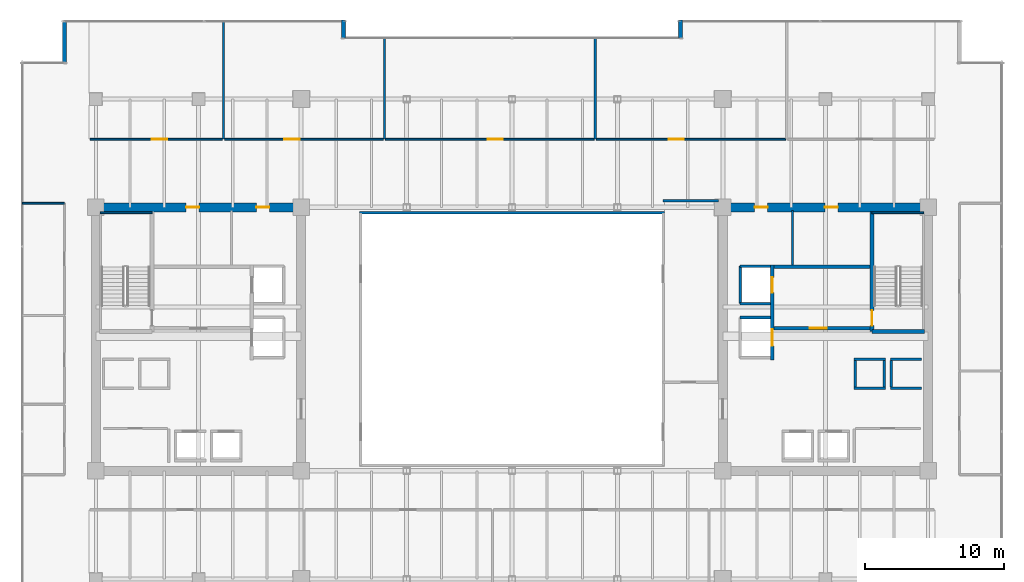
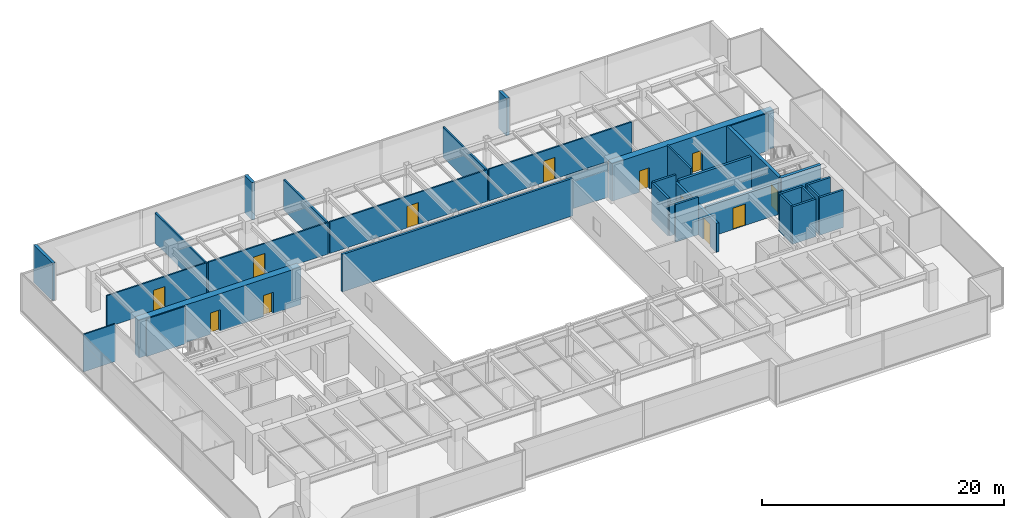
# One storey, part 27 of 34: 34 walls, 12 doors, 12 openings.
"""IFC4 building model written with IfcOpenShell, lengths in metres."""

from ifc_helpers import new_model, si_unit, direction, frame, frame_2d, origin, place, context, subcontext, project, spatial, rectangle, extrude, source, transform, mapped, material, layer, layer_set, type_object, type_shapes, element, fill, save


model = new_model("IFC4")

# Units and contexts
model_context = context("Model", 3, precision=1e-05, world=origin(), true_north=direction((0.0, 1.0)))
body_context = subcontext(model_context, "Body", "Model", "MODEL_VIEW")
ifc_project = project(units=[si_unit("LENGTHUNIT", "METRE"), si_unit("AREAUNIT", "SQUARE_METRE"), si_unit("VOLUMEUNIT", "CUBIC_METRE"), si_unit("PLANEANGLEUNIT", "RADIAN"), si_unit("MASSUNIT", "GRAM", prefix="KILO")], contexts=[model_context])

# Site, building, storey
site_placement = place(None, origin())
site = spatial("IfcSite", under=ifc_project, at=site_placement, CompositionType="ELEMENT")
building_placement = place(site_placement, origin())
building = spatial("IfcBuilding", under=site, at=building_placement, Name="Haelvirn Gate Laboratories", CompositionType="ELEMENT")
storey_placement = place(building_placement, frame((0.0, 0.0, 178.89990234375)))
storey = spatial("IfcBuildingStorey", under=building, at=storey_placement, Name="L43", CompositionType="ELEMENT", Elevation=178.89990234375)

# Walls
ifc_material_1 = material(Name="Thermally-broken bronze aluminium rainscreen & mineral wool", Category="aluminium")
ifc_layer_1 = layer(ifc_material_1, 0.280029296875, Name="EW-TERR-280")
ifc_layer_set_1 = layer_set([ifc_layer_1], Name="Thermally-broken bronze aluminium rainscreen & mineral wool")
wall_type_1 = type_object("IfcWallType", Name="EW-TERR-280", PredefinedType="STANDARD", material=ifc_layer_set_1)
for number, where, z_axis, x_axis, name in (
    (1, (49.5400390625, 47.300048828125, 0.0), (0.0, 0.0, 1.0), (0.0, -1.0, 0.0), "L43 Atrium Recess Bronze Return Wall 11"),
    (2, (25.260009765625, 46.011962890625, 0.0), (0.0, 0.0, 1.0), (0.0, 1.0, 0.0), "L43 Atrium Recess Bronze Return Wall 13"),
):
    element("IfcWall", number, at=place(storey_placement, frame(where, z_axis=z_axis, x_axis=x_axis)), inside=storey, type_object=wall_type_1, Name=name, PredefinedType="STANDARD", context=body_context, shape_type="SweptSolid", body=[
        extrude(rectangle(XDim=1.2880859375, YDim=0.280029296875, at=frame_2d((0.64404296875, 0.0))), origin(), (0.0, 0.0, 1.0), 3.7900390625),
    ])
wall_1_placement = place(storey_placement, frame((5.139892578125, 47.300048828125, 0.0), z_axis=(0.0, 0.0, 1.0), x_axis=(0.0, -1.0, 0.0)))
element("IfcWall", 3, at=wall_1_placement, inside=storey, type_object=wall_type_1, Name="L43 Atrium Recess Bronze Return Wall 15", PredefinedType="STANDARD", context=body_context, shape_type="SweptSolid", body=[
    extrude(rectangle(XDim=3.088134765625, YDim=0.280029296875, at=frame_2d((1.5439453125, 0.0))), origin(), (0.0, 0.0, 1.0), 3.7900390625),
])
ifc_material_2 = material(Name="Double-layer acoustic gypsum laboratory partition", Category="gypsum")
ifc_layer_2 = layer(ifc_material_2, 0.159912109375, Name="IW-ACOUST-160")
ifc_layer_set_2 = layer_set([ifc_layer_2], Name="Double-layer acoustic gypsum laboratory partition")
wall_type_2 = type_object("IfcWallType", Name="IW-ACOUST-160", PredefinedType="PARTITIONING", material=ifc_layer_set_2)
wall_2_placement = place(storey_placement, frame((16.60009765625, 38.705078125, 0.0), z_axis=(0.0, 0.0, 1.0), x_axis=(0.0, 1.0, 0.0)))
element("IfcWall", 4, at=wall_2_placement, inside=storey, type_object=wall_type_2, Name="L43 Interior Wall IW-L43-NDIV-01", PredefinedType="PARTITIONING", context=body_context, shape_type="SweptSolid", body=[
    extrude(rectangle(XDim=8.48486328125, YDim=0.159912109375, at=frame_2d((4.242431640625, 0.0))), origin(), (0.0, 0.0, 1.0), 3.0751953125),
])
for number, where, z_axis, x_axis, name in (
    (5, (28.199951171875, 38.705078125, 0.0), (0.0, 0.0, 1.0), (0.0, 1.0, 0.0), "L43 Interior Wall IW-L43-NDIV-02"),
    (6, (43.39990234375, 38.705078125, 0.0), (0.0, 0.0, 1.0), (0.0, 1.0, 0.0), "L43 Interior Wall IW-L43-NDIV-03"),
):
    element("IfcWall", number, at=place(storey_placement, frame(where, z_axis=z_axis, x_axis=x_axis)), inside=storey, type_object=wall_type_2, Name=name, PredefinedType="PARTITIONING", context=body_context, shape_type="SweptSolid", body=[
        extrude(rectangle(XDim=7.284912109375, YDim=0.159912109375, at=frame_2d((3.642578125, 0.0))), origin(), (0.0, 0.0, 1.0), 3.0751953125),
    ])
ifc_material_3 = material(Name="Fire-rated acoustic gypsum board partition", Category="gypsum")
ifc_layer_3 = layer(ifc_material_3, 0.175048828125, Name="IW-ACOUST-180")
ifc_layer_set_3 = layer_set([ifc_layer_3], Name="Fire-rated acoustic gypsum board partition")
wall_type_3 = type_object("IfcWallType", Name="IW-ACOUST-180", PredefinedType="PARTITIONING", material=ifc_layer_set_3)
wall_3_placement = place(storey_placement, frame((48.300048828125, 34.260009765625, 0.0), z_axis=(0.0, 0.0, 1.0), x_axis=(1.0, 0.0, 0.0)))
element("IfcWall", 7, at=wall_3_placement, inside=storey, type_object=wall_type_3, Name="L43 Interior Wall IW-L43-ASEM-N", PredefinedType="PARTITIONING", context=body_context, shape_type="SweptSolid", body=[
    extrude(rectangle(XDim=3.974853515625, YDim=0.175048828125, at=frame_2d((1.9873046875, 0.0))), origin(), (0.0, 0.0, 1.0), 3.47509765625),
])
ifc_material_4 = material(Name="Tempered fire-rated borosilicate glass & anodised aluminium", Category="aluminium")
ifc_layer_4 = layer(ifc_material_4, 0.195068359375, Name="IW-GLAZ-200")
ifc_layer_set_4 = layer_set([ifc_layer_4], Name="Tempered fire-rated borosilicate glass & anodised aluminium")
wall_type_4 = type_object("IfcWallType", Name="IW-GLAZ-200", PredefinedType="SOLIDWALL", material=ifc_layer_set_4)
wall_4_placement = place(storey_placement, frame((26.39990234375, 33.39990234375, 0.0), z_axis=(0.0, 0.0, 1.0), x_axis=(1.0, 0.0, 0.0)))
element("IfcWall", 8, at=wall_4_placement, inside=storey, type_object=wall_type_4, Name="L43 Interior Wall IW-L43-ATRIUM-N", PredefinedType="SOLIDWALL", context=body_context, shape_type="SweptSolid", body=[
    extrude(rectangle(XDim=22.0, YDim=0.195068359375, at=frame_2d((11.0, 0.0))), origin(), (0.0, 0.0, 1.0), 3.7900390625),
])
ifc_material_5 = material(Name="Lightweight acoustic gypsum board partition", Category="gypsum")
ifc_layer_5 = layer(ifc_material_5, 0.1201171875, Name="IW-PART-120")
ifc_layer_set_5 = layer_set([ifc_layer_5], Name="Lightweight acoustic gypsum board partition")
wall_type_5 = type_object("IfcWallType", Name="IW-PART-120", PredefinedType="PARTITIONING", material=ifc_layer_set_5)
wall_5_placement = place(storey_placement, frame((2.110107421875, 34.0849609375, 0.0), z_axis=(0.0, 0.0, 1.0), x_axis=(1.0, 0.0, 0.0)))
element("IfcWall", 9, at=wall_5_placement, inside=storey, type_object=wall_type_5, Name="L43 Interior Wall IW-L43-WCAP-N", PredefinedType="PARTITIONING", context=body_context, shape_type="SweptSolid", body=[
    extrude(rectangle(XDim=3.019775390625, YDim=0.1201171875, at=frame_2d((1.509765625, 0.0))), origin(), (0.0, 0.0, 1.0), 3.7900390625),
])

# Wall, opening, door
ifc_material_6 = material(Name="Acoustic mineral-wool gypsum board partition", Category="gypsum")
ifc_layer_6 = layer(ifc_material_6, 0.139892578125, Name="IW-PART-140")
ifc_layer_set_6 = layer_set([ifc_layer_6], Name="Acoustic mineral-wool gypsum board partition")
wall_type_6 = type_object("IfcWallType", Name="IW-PART-140", PredefinedType="PARTITIONING", material=ifc_layer_set_6)
wall_6_placement = place(storey_placement, frame((6.97998046875, 38.705078125, 0.0), z_axis=(0.0, 0.0, 1.0), x_axis=(1.0, 0.0, 0.0)))
wall_6 = element("IfcWall", 10, at=wall_6_placement, inside=storey, type_object=wall_type_6, Name="L43 Interior Wall IW-L43-NCORR-01", PredefinedType="PARTITIONING", context=body_context, shape_type="SweptSolid", body=[
    extrude(rectangle(XDim=9.5400390625, YDim=0.139892578125, at=frame_2d((4.77001953125, 0.0))), origin(), (0.0, 0.0, 1.0), 3.18701171875),
])
opening_1_placement = place(wall_6_placement, frame((4.4521484375, 0.0, 0.0)))
opening_1 = element("IfcOpeningElement", 11, at=opening_1_placement, cuts=wall_6, Name="Opening D1", PredefinedType="OPENING", context=body_context, shape_type="SweptSolid", body=[
    extrude(rectangle(XDim=1.10009765625, YDim=2.179931640625, at=frame_2d((0.550048828125, 1.08984375))), frame((0.0, 0.080078125, 0.0), z_axis=(0.0, -1.0, 0.0), x_axis=(1.0, 0.0, 0.0)), (0.0, 0.0, 1.0), 0.159912109375),
])
ifc_material_7 = material(Name="Vision-panel acoustic solid-core timber lab door", Category="wood")
door_type_1 = type_object("IfcDoorType", Name="DR-LAB-1100", OperationType="NOTDEFINED", PredefinedType="DOOR", material=ifc_material_7)
shared_shape_1 = source(origin(), body_context, "Body", "SweptSolid", [
    extrude(rectangle(XDim=1.10009765625, YDim=2.179931640625, at=frame_2d((0.550048828125, 1.08984375))), frame((0.0, 0.02490234375, 0.0), z_axis=(0.0, -1.0, 0.0), x_axis=(1.0, 0.0, 0.0)), (0.0, 0.0, 1.0), 0.050048828125),
])
type_shapes(door_type_1, [shared_shape_1])
door_1_placement = place(opening_1_placement, origin())
door_1 = element("IfcDoor", 12, at=door_1_placement, inside=storey, type_object=door_type_1, Name="L43 Researcher Break Pantry Door N1", OperationType="SINGLE_SWING_LEFT", OverallHeight=2.179931640625, OverallWidth=1.10009765625, PredefinedType="DOOR", context=body_context, shape_type="MappedRepresentation", body=[
    mapped(shared_shape_1, transform((0.0, 0.0, 0.0), scale=1.0)),
])
fill(opening_1, door_1)

wall_7_placement = place(storey_placement, frame((16.679931640625, 38.705078125, 0.0), z_axis=(0.0, 0.0, 1.0), x_axis=(1.0, 0.0, 0.0)))
wall_7 = element("IfcWall", 13, at=wall_7_placement, inside=storey, type_object=wall_type_6, Name="L43 Interior Wall IW-L43-NCORR-02", PredefinedType="PARTITIONING", context=body_context, shape_type="SweptSolid", body=[
    extrude(rectangle(XDim=11.440185546875, YDim=0.139892578125, at=frame_2d((5.72021484375, 0.0))), origin(), (0.0, 0.0, 1.0), 3.18701171875),
])
opening_2_placement = place(wall_7_placement, frame((4.302490234375, 0.0, 0.0)))
opening_2 = element("IfcOpeningElement", 14, at=opening_2_placement, cuts=wall_7, Name="Opening D1", PredefinedType="OPENING", context=body_context, shape_type="SweptSolid", body=[
    extrude(rectangle(XDim=1.10009765625, YDim=2.179931640625, at=frame_2d((0.550048828125, 1.08984375))), frame((0.0, 0.080078125, 0.0), z_axis=(0.0, -1.0, 0.0), x_axis=(1.0, 0.0, 0.0)), (0.0, 0.0, 1.0), 0.159912109375),
])
door_2_placement = place(opening_2_placement, origin())
door_2 = element("IfcDoor", 15, at=door_2_placement, inside=storey, type_object=door_type_1, Name="L43 Floor Hydration & Tea Servery Door N2", OperationType="SINGLE_SWING_RIGHT", OverallHeight=2.179931640625, OverallWidth=1.10009765625, PredefinedType="DOOR", context=body_context, shape_type="MappedRepresentation", body=[
    mapped(shared_shape_1, transform((0.0, 0.0, 0.0), scale=1.0)),
])
fill(opening_2, door_2)

wall_8_placement = place(storey_placement, frame((28.280029296875, 38.705078125, 0.0), z_axis=(0.0, 0.0, 1.0), x_axis=(1.0, 0.0, 0.0)))
wall_8 = element("IfcWall", 16, at=wall_8_placement, inside=storey, type_object=wall_type_6, Name="L43 Interior Wall IW-L43-NCORR-03", PredefinedType="PARTITIONING", context=body_context, shape_type="SweptSolid", body=[
    extrude(rectangle(XDim=15.0400390625, YDim=0.139892578125, at=frame_2d((7.52001953125, 0.0))), origin(), (0.0, 0.0, 1.0), 3.18701171875),
])
opening_3_placement = place(wall_8_placement, frame((7.3671875, 0.0, 0.0)))
opening_3 = element("IfcOpeningElement", 17, at=opening_3_placement, cuts=wall_8, Name="Opening D1", PredefinedType="OPENING", context=body_context, shape_type="SweptSolid", body=[
    extrude(rectangle(XDim=1.10009765625, YDim=2.179931640625, at=frame_2d((0.550048828125, 1.08984375))), frame((0.0, 0.080078125, 0.0), z_axis=(0.0, -1.0, 0.0), x_axis=(1.0, 0.0, 0.0)), (0.0, 0.0, 1.0), 0.159912109375),
])
door_3_placement = place(opening_3_placement, origin())
door_3 = element("IfcDoor", 18, at=door_3_placement, inside=storey, type_object=door_type_1, Name="L43 Bioinformatics Dry-Lab Workspace Door N3", OperationType="SINGLE_SWING_LEFT", OverallHeight=2.179931640625, OverallWidth=1.10009765625, PredefinedType="DOOR", context=body_context, shape_type="MappedRepresentation", body=[
    mapped(shared_shape_1, transform((0.0, 0.0, 0.0), scale=1.0)),
])
fill(opening_3, door_3)

wall_9_placement = place(storey_placement, frame((43.47998046875, 38.705078125, 0.0), z_axis=(0.0, 0.0, 1.0), x_axis=(1.0, 0.0, 0.0)))
wall_9 = element("IfcWall", 19, at=wall_9_placement, inside=storey, type_object=wall_type_6, Name="L43 Interior Wall IW-L43-NCORR-04", PredefinedType="PARTITIONING", context=body_context, shape_type="SweptSolid", body=[
    extrude(rectangle(XDim=13.64013671875, YDim=0.139892578125, at=frame_2d((6.820068359375, 0.0))), origin(), (0.0, 0.0, 1.0), 3.18701171875),
])
opening_4_placement = place(wall_9_placement, frame((5.204345703125, 0.0, 0.0)))
opening_4 = element("IfcOpeningElement", 20, at=opening_4_placement, cuts=wall_9, Name="Opening D1", PredefinedType="OPENING", context=body_context, shape_type="SweptSolid", body=[
    extrude(rectangle(XDim=1.10009765625, YDim=2.179931640625, at=frame_2d((0.550048828125, 1.08984375))), frame((0.0, 0.080078125, 0.0), z_axis=(0.0, -1.0, 0.0), x_axis=(1.0, 0.0, 0.0)), (0.0, 0.0, 1.0), 0.159912109375),
])
door_4_placement = place(opening_4_placement, origin())
door_4 = element("IfcDoor", 21, at=door_4_placement, inside=storey, type_object=door_type_1, Name="L43 Translational Data Office Door N4", OperationType="SINGLE_SWING_RIGHT", OverallHeight=2.179931640625, OverallWidth=1.10009765625, PredefinedType="DOOR", context=body_context, shape_type="MappedRepresentation", body=[
    mapped(shared_shape_1, transform((0.0, 0.0, 0.0), scale=1.0)),
])
fill(opening_4, door_4)

# Walls
ifc_material_8 = material(Name="Cement-board restroom plumbing chase wall", Category="gypsum")
ifc_layer_7 = layer(ifc_material_8, 0.155029296875, Name="IW-PLUMB-160")
ifc_layer_set_7 = layer_set([ifc_layer_7], Name="Cement-board restroom plumbing chase wall")
wall_type_7 = type_object("IfcWallType", Name="IW-PLUMB-160", PredefinedType="PLUMBINGWALL", material=ifc_layer_set_7)
wall_10_placement = place(storey_placement, frame((57.610107421875, 29.64990234375, 0.0), z_axis=(0.0, 0.0, 1.0), x_axis=(0.0, 1.0, 0.0)))
element("IfcWall", 22, at=wall_10_placement, inside=storey, type_object=wall_type_7, Name="L43 Interior Wall IW-L43-E-CDIV-1", PredefinedType="PLUMBINGWALL", context=body_context, shape_type="SweptSolid", body=[
    extrude(rectangle(XDim=3.93017578125, YDim=0.155029296875, at=frame_2d((1.965087890625, 0.0))), origin(), (0.0, 0.0, 1.0), 3.7900390625),
])
ifc_material_9 = material(Name="Concrete C40/50", Category="concrete")
ifc_layer_8 = layer(ifc_material_9, 0.179931640625, Name="IW-SHAFT-180")
ifc_layer_set_8 = layer_set([ifc_layer_8], Name="Concrete C40/50")
wall_type_8 = type_object("IfcWallType", Name="IW-SHAFT-180", PredefinedType="SOLIDWALL", material=ifc_layer_set_8)
for number, where, z_axis, x_axis, name in (
    (23, (64.75, 20.85009765625, 0.0), (0.0, 0.0, 1.0), (0.0, 1.0, 0.0), "L43 Interior Wall IW-L43-PL11-SD"),
    (24, (62.14990234375, 20.85009765625, 0.0), (0.0, 0.0, 1.0), (0.0, 1.0, 0.0), "L43 Interior Wall IW-L43-PL12-SD"),
    (25, (64.25, 20.85009765625, 0.0), (0.0, 0.0, 1.0), (0.0, 1.0, 0.0), "L43 Interior Wall IW-L43-PL12-SDE"),
):
    element("IfcWall", number, at=place(storey_placement, frame(where, z_axis=z_axis, x_axis=x_axis)), inside=storey, type_object=wall_type_8, Name=name, PredefinedType="SOLIDWALL", context=body_context, shape_type="SweptSolid", body=[
        extrude(rectangle(XDim=1.89990234375, YDim=0.179931640625, at=frame_2d((0.949951171875, 0.0))), origin(), (0.0, 0.0, 1.0), 3.7900390625),
    ])
ifc_layer_9 = layer(ifc_material_9, 0.199951171875, Name="IW-SHAFT-200")
ifc_layer_set_9 = layer_set([ifc_layer_9], Name="Concrete C40/50")
wall_type_9 = type_object("IfcWallType", Name="IW-SHAFT-200", PredefinedType="SOLIDWALL", material=ifc_layer_set_9)
for number, where, z_axis, x_axis, name in (
    (26, (64.669921875, 20.75, 0.0), (0.0, 0.0, 1.0), (1.0, 0.0, 0.0), "L43 Interior Wall IW-L43-PL11-FR"),
    (27, (64.669921875, 22.85009765625, 0.0), (0.0, 0.0, 1.0), (1.0, 0.0, 0.0), "L43 Interior Wall IW-L43-PL11-BK"),
    (28, (62.070068359375, 20.75, 0.0), (0.0, 0.0, 1.0), (1.0, 0.0, 0.0), "L43 Interior Wall IW-L43-PL12-FR"),
    (29, (62.070068359375, 22.85009765625, 0.0), (0.0, 0.0, 1.0), (1.0, 0.0, 0.0), "L43 Interior Wall IW-L43-PL12-BK"),
):
    element("IfcWall", number, at=place(storey_placement, frame(where, z_axis=z_axis, x_axis=x_axis)), inside=storey, type_object=wall_type_9, Name=name, PredefinedType="SOLIDWALL", context=body_context, shape_type="SweptSolid", body=[
        extrude(rectangle(XDim=2.260009765625, YDim=0.199951171875, at=frame_2d((1.1298828125, 0.0))), origin(), (0.0, 0.0, 1.0), 3.7900390625),
    ])
wall_11_placement = place(storey_placement, frame((53.85009765625, 26.85009765625, 0.0), z_axis=(0.0, 0.0, 1.0), x_axis=(0.0, 1.0, 0.0)))
element("IfcWall", 30, at=wall_11_placement, inside=storey, type_object=wall_type_9, Name="L43 Interior Wall IW-L43-FL2-BK", PredefinedType="SOLIDWALL", context=body_context, shape_type="SweptSolid", body=[
    extrude(rectangle(XDim=2.699951171875, YDim=0.199951171875, at=frame_2d((1.35009765625, 0.0))), origin(), (0.0, 0.0, 1.0), 3.7900390625),
])
wall_12_placement = place(storey_placement, frame((53.85009765625, 29.550048828125, 0.0), z_axis=(0.0, 0.0, 1.0), x_axis=(1.0, 0.0, 0.0)))
element("IfcWall", 31, at=wall_12_placement, inside=storey, type_object=wall_type_9, Name="L43 Interior Wall IW-L43-FL2-N", PredefinedType="SOLIDWALL", context=body_context, shape_type="SweptSolid", body=[
    extrude(rectangle(XDim=2.18994140625, YDim=0.199951171875, at=frame_2d((1.094970703125, 0.0))), origin(), (0.0, 0.0, 1.0), 3.7900390625),
])
wall_13_placement = place(storey_placement, frame((53.85009765625, 26.85009765625, 0.0), z_axis=(0.0, 0.0, 1.0), x_axis=(1.0, 0.0, 0.0)))
element("IfcWall", 32, at=wall_13_placement, inside=storey, type_object=wall_type_9, Name="L43 Interior Wall IW-L43-FL2-S", PredefinedType="SOLIDWALL", context=body_context, shape_type="SweptSolid", body=[
    extrude(rectangle(XDim=2.18994140625, YDim=0.199951171875, at=frame_2d((1.094970703125, 0.0))), origin(), (0.0, 0.0, 1.0), 3.18701171875),
])
wall_14_placement = place(storey_placement, frame((53.85009765625, 25.85009765625, 0.0), z_axis=(0.0, 0.0, 1.0), x_axis=(1.0, 0.0, 0.0)))
element("IfcWall", 33, at=wall_14_placement, inside=storey, type_object=wall_type_9, Name="L43 Interior Wall IW-L43-SL2-N", PredefinedType="SOLIDWALL", context=body_context, shape_type="SweptSolid", body=[
    extrude(rectangle(XDim=2.18994140625, YDim=0.199951171875, at=frame_2d((1.094970703125, 0.0))), origin(), (0.0, 0.0, 1.0), 3.7900390625),
])

# Wall, opening, door
ifc_layer_10 = layer(ifc_material_9, 0.239990234375, Name="IW-SHAFT-240")
ifc_layer_set_10 = layer_set([ifc_layer_10], Name="Concrete C40/50")
wall_type_10 = type_object("IfcWallType", Name="IW-SHAFT-240", PredefinedType="SOLIDWALL", material=ifc_layer_set_10)
wall_15_placement = place(storey_placement, frame((56.280029296875, 25.080078125, 0.0), z_axis=(0.0, 0.0, 1.0), x_axis=(1.0, 0.0, 0.0)))
wall_15 = element("IfcWall", 34, at=wall_15_placement, inside=storey, type_object=wall_type_10, Name="L43 Interior Wall IW-L43-E-FF-S", PredefinedType="SOLIDWALL", context=body_context, shape_type="SweptSolid", body=[
    extrude(rectangle(XDim=6.919921875, YDim=0.239990234375, at=frame_2d((3.4599609375, 0.0))), origin(), (0.0, 0.0, 1.0), 3.18701171875),
])
opening_5_placement = place(wall_15_placement, frame((2.60009765625, 0.0, 0.0)))
opening_5 = element("IfcOpeningElement", 35, at=opening_5_placement, cuts=wall_15, Name="Opening FD2", PredefinedType="OPENING", context=body_context, shape_type="SweptSolid", body=[
    extrude(rectangle(XDim=1.199951171875, YDim=2.159912109375, at=frame_2d((0.60009765625, 1.080078125))), frame((0.0, 0.1298828125, 0.0), z_axis=(0.0, -1.0, 0.0), x_axis=(1.0, 0.0, 0.0)), (0.0, 0.0, 1.0), 0.260009765625),
])
ifc_material_10 = material(Name="Fire-rated steel SM355 compartment door", Category="steel")
door_type_2 = type_object("IfcDoorType", Name="DR-FD-1200", OperationType="NOTDEFINED", PredefinedType="DOOR", material=ifc_material_10)
shared_shape_2 = source(origin(), body_context, "Body", "SweptSolid", [
    extrude(rectangle(XDim=1.199951171875, YDim=2.159912109375, at=frame_2d((0.60009765625, 1.080078125))), frame((0.0, 0.02490234375, 0.0), z_axis=(0.0, -1.0, 0.0), x_axis=(1.0, 0.0, 0.0)), (0.0, 0.0, 1.0), 0.050048828125),
])
type_shapes(door_type_2, [shared_shape_2])
door_5_placement = place(opening_5_placement, origin())
door_5 = element("IfcDoor", 36, at=door_5_placement, inside=storey, type_object=door_type_2, Name="L43 East Firefighting Lobby Door", OperationType="SINGLE_SWING_LEFT", OverallHeight=2.159912109375, OverallWidth=1.199951171875, PredefinedType="DOOR", context=body_context, shape_type="MappedRepresentation", body=[
    mapped(shared_shape_2, transform((0.0, 0.0, 0.0), scale=1.0)),
])
fill(opening_5, door_5)

# Wall
wall_16_placement = place(storey_placement, frame((56.280029296875, 29.52001953125, 0.0), z_axis=(0.0, 0.0, 1.0), x_axis=(1.0, 0.0, 0.0)))
element("IfcWall", 37, at=wall_16_placement, inside=storey, type_object=wall_type_10, Name="L43 Interior Wall IW-L43-E-FF-N", PredefinedType="SOLIDWALL", context=body_context, shape_type="SweptSolid", body=[
    extrude(rectangle(XDim=6.919921875, YDim=0.239990234375, at=frame_2d((3.4599609375, 0.0))), origin(), (0.0, 0.0, 1.0), 3.18701171875),
])

# Wall, openings, doors
wall_17_placement = place(storey_placement, frame((56.159912109375, 22.800048828125, 0.0), z_axis=(0.0, 0.0, 1.0), x_axis=(0.0, 1.0, 0.0)))
wall_17 = element("IfcWall", 38, at=wall_17_placement, inside=storey, type_object=wall_type_10, Name="L43 Interior Wall IW-L43-E-FF-E", PredefinedType="SOLIDWALL", context=body_context, shape_type="SweptSolid", body=[
    extrude(rectangle(XDim=6.849853515625, YDim=0.239990234375, at=frame_2d((3.4248046875, 0.0))), origin(), (0.0, 0.0, 1.0), 2.925048828125),
])
opening_6_placement = place(wall_17_placement, frame((4.85009765625, 0.0, 0.0)))
opening_6 = element("IfcOpeningElement", 39, at=opening_6_placement, cuts=wall_17, Name="Opening LD2", PredefinedType="OPENING", context=body_context, shape_type="SweptSolid", body=[
    extrude(rectangle(XDim=1.10009765625, YDim=2.219970703125, at=frame_2d((0.550048828125, 1.10986328125))), frame((0.0, 0.1298828125, 0.0), z_axis=(0.0, -1.0, 0.0), x_axis=(1.0, 0.0, 0.0)), (0.0, 0.0, 1.0), 0.260009765625),
])
opening_7_placement = place(wall_17_placement, frame((1.0, 0.0, 0.0)))
opening_7 = element("IfcOpeningElement", 40, at=opening_7_placement, cuts=wall_17, Name="Opening LD1", PredefinedType="OPENING", context=body_context, shape_type="SweptSolid", body=[
    extrude(rectangle(XDim=1.199951171875, YDim=2.219970703125, at=frame_2d((0.60009765625, 1.10986328125))), frame((0.0, 0.1298828125, 0.0), z_axis=(0.0, -1.0, 0.0), x_axis=(1.0, 0.0, 0.0)), (0.0, 0.0, 1.0), 0.260009765625),
])
ifc_material_11 = material(Name="Bronze stainless 316L sliding lift landing door")
door_type_3 = type_object("IfcDoorType", Name="DR-LD-1100", OperationType="NOTDEFINED", PredefinedType="USERDEFINED", material=ifc_material_11)
shared_shape_3 = source(origin(), body_context, "Body", "SweptSolid", [
    extrude(rectangle(XDim=1.10009765625, YDim=2.219970703125, at=frame_2d((0.550048828125, 1.10986328125))), frame((0.0, 0.02490234375, 0.0), z_axis=(0.0, -1.0, 0.0), x_axis=(1.0, 0.0, 0.0)), (0.0, 0.0, 1.0), 0.050048828125),
])
type_shapes(door_type_3, [shared_shape_3])
door_6_placement = place(opening_6_placement, origin())
door_6 = element("IfcDoor", 41, at=door_6_placement, inside=storey, type_object=door_type_3, Name="L43 Firefighting Lift FL2 Landing Door", ObjectType="LANDING_DOOR", OperationType="SLIDING_TO_RIGHT", OverallHeight=2.219970703125, OverallWidth=1.10009765625, PredefinedType="USERDEFINED", context=body_context, shape_type="MappedRepresentation", body=[
    mapped(shared_shape_3, transform((0.0, 0.0, 0.0), scale=1.0)),
])
fill(opening_6, door_6)
ifc_material_12 = material(Name="Stainless steel 316L sliding goods landing door", Category="steel")
door_type_4 = type_object("IfcDoorType", Name="DR-LD-1200", OperationType="NOTDEFINED", PredefinedType="USERDEFINED", material=ifc_material_12)
shared_shape_4 = source(origin(), body_context, "Body", "SweptSolid", [
    extrude(rectangle(XDim=1.199951171875, YDim=2.219970703125, at=frame_2d((0.60009765625, 1.10986328125))), frame((0.0, 0.02490234375, 0.0), z_axis=(0.0, -1.0, 0.0), x_axis=(1.0, 0.0, 0.0)), (0.0, 0.0, 1.0), 0.050048828125),
])
type_shapes(door_type_4, [shared_shape_4])
door_7_placement = place(opening_7_placement, origin())
door_7 = element("IfcDoor", 42, at=door_7_placement, inside=storey, type_object=door_type_4, Name="L43 Service Lift SL2 Landing Door", ObjectType="LANDING_DOOR", OperationType="SLIDING_TO_LEFT", OverallHeight=2.219970703125, OverallWidth=1.199951171875, PredefinedType="USERDEFINED", context=body_context, shape_type="MappedRepresentation", body=[
    mapped(shared_shape_4, transform((0.0, 0.0, 0.0), scale=1.0)),
])
fill(opening_7, door_7)

ifc_material_13 = material(Name="Concrete C60/75", Category="concrete")
ifc_layer_11 = layer(ifc_material_13, 0.64990234375, Name="SW-CORE-650")
ifc_layer_set_11 = layer_set([ifc_layer_11], Name="Concrete C60/75")
wall_type_11 = type_object("IfcWallType", Name="SW-CORE-650", PredefinedType="SHEAR", material=ifc_layer_set_11)
wall_18_placement = place(storey_placement, frame((7.074951171875, 33.800048828125, 0.0), z_axis=(0.0, 0.0, 1.0), x_axis=(1.0, 0.0, 0.0)))
wall_18 = element("IfcWall", 43, at=wall_18_placement, inside=storey, type_object=wall_type_11, Name="L43 W Core Shear Wall N", PredefinedType="SHEAR", context=body_context, shape_type="SweptSolid", body=[
    extrude(rectangle(XDim=15.449951171875, YDim=0.64990234375, at=frame_2d((7.72509765625, 0.0))), origin(), (0.0, 0.0, 1.0), 3.7900390625),
])
opening_8_placement = place(wall_18_placement, frame((6.824951171875, 0.0, 0.0)))
opening_8 = element("IfcOpeningElement", 44, at=opening_8_placement, cuts=wall_18, Name="Opening FD4", PredefinedType="OPENING", context=body_context, shape_type="SweptSolid", body=[
    extrude(rectangle(XDim=0.949951171875, YDim=2.14990234375, at=frame_2d((0.47509765625, 1.074951171875))), frame((0.0, 0.3349609375, 0.0), z_axis=(0.0, -1.0, 0.0), x_axis=(1.0, 0.0, 0.0)), (0.0, 0.0, 1.0), 0.669921875),
])
opening_9_placement = place(wall_18_placement, frame((11.889892578125, 0.0, 0.0)))
opening_9 = element("IfcOpeningElement", 45, at=opening_9_placement, cuts=wall_18, Name="Opening FD4", PredefinedType="OPENING", context=body_context, shape_type="SweptSolid", body=[
    extrude(rectangle(XDim=0.949951171875, YDim=2.14990234375, at=frame_2d((0.47509765625, 1.074951171875))), frame((0.0, 0.3349609375, 0.0), z_axis=(0.0, -1.0, 0.0), x_axis=(1.0, 0.0, 0.0)), (0.0, 0.0, 1.0), 0.669921875),
])
ifc_material_14 = material(Name="Fire-rated steel SM355 core service door", Category="steel")
door_type_5 = type_object("IfcDoorType", Name="DR-FD-950", OperationType="NOTDEFINED", PredefinedType="DOOR", material=ifc_material_14)
shared_shape_5 = source(origin(), body_context, "Body", "SweptSolid", [
    extrude(rectangle(XDim=0.949951171875, YDim=2.14990234375, at=frame_2d((0.47509765625, 1.074951171875))), frame((0.0, 0.02490234375, 0.0), z_axis=(0.0, -1.0, 0.0), x_axis=(1.0, 0.0, 0.0)), (0.0, 0.0, 1.0), 0.050048828125),
])
type_shapes(door_type_5, [shared_shape_5])
door_8_placement = place(opening_8_placement, origin())
door_8 = element("IfcDoor", 46, at=door_8_placement, inside=storey, type_object=door_type_5, Name="L43 All-Gender Multi-Stall Restroom Fire Door", OperationType="SINGLE_SWING_RIGHT", OverallHeight=2.14990234375, OverallWidth=0.949951171875, PredefinedType="DOOR", context=body_context, shape_type="MappedRepresentation", body=[
    mapped(shared_shape_5, transform((0.0, 0.0, 0.0), scale=1.0)),
])
fill(opening_8, door_8)
door_9_placement = place(opening_9_placement, origin())
door_9 = element("IfcDoor", 47, at=door_9_placement, inside=storey, type_object=door_type_5, Name="L43 Accessible Restroom Fire Door", OperationType="SINGLE_SWING_LEFT", OverallHeight=2.14990234375, OverallWidth=0.949951171875, PredefinedType="DOOR", context=body_context, shape_type="MappedRepresentation", body=[
    mapped(shared_shape_5, transform((0.0, 0.0, 0.0), scale=1.0)),
])
fill(opening_9, door_9)

wall_19_placement = place(storey_placement, frame((52.27490234375, 33.800048828125, 0.0), z_axis=(0.0, 0.0, 1.0), x_axis=(1.0, 0.0, 0.0)))
wall_19 = element("IfcWall", 48, at=wall_19_placement, inside=storey, type_object=wall_type_11, Name="L43 E Core Shear Wall N", PredefinedType="SHEAR", context=body_context, shape_type="SweptSolid", body=[
    extrude(rectangle(XDim=15.4501953125, YDim=0.64990234375, at=frame_2d((7.72509765625, 0.0))), origin(), (0.0, 0.0, 1.0), 3.7900390625),
])
opening_10_placement = place(wall_19_placement, frame((7.675048828125, 0.0, 0.0)))
opening_10 = element("IfcOpeningElement", 49, at=opening_10_placement, cuts=wall_19, Name="Opening FD4", PredefinedType="OPENING", context=body_context, shape_type="SweptSolid", body=[
    extrude(rectangle(XDim=0.949951171875, YDim=2.14990234375, at=frame_2d((0.47509765625, 1.074951171875))), frame((0.0, 0.3349609375, 0.0), z_axis=(0.0, -1.0, 0.0), x_axis=(1.0, 0.0, 0.0)), (0.0, 0.0, 1.0), 0.669921875),
])
opening_11_placement = place(wall_19_placement, frame((2.610107421875, 0.0, 0.0)))
opening_11 = element("IfcOpeningElement", 50, at=opening_11_placement, cuts=wall_19, Name="Opening FD4", PredefinedType="OPENING", context=body_context, shape_type="SweptSolid", body=[
    extrude(rectangle(XDim=0.949951171875, YDim=2.14990234375, at=frame_2d((0.47509765625, 1.074951171875))), frame((0.0, 0.3349609375, 0.0), z_axis=(0.0, -1.0, 0.0), x_axis=(1.0, 0.0, 0.0)), (0.0, 0.0, 1.0), 0.669921875),
])
door_10_placement = place(opening_10_placement, origin())
door_10 = element("IfcDoor", 51, at=door_10_placement, inside=storey, type_object=door_type_5, Name="L43 All-Gender Multi-Stall Restroom Fire Door", OperationType="SINGLE_SWING_RIGHT", OverallHeight=2.14990234375, OverallWidth=0.949951171875, PredefinedType="DOOR", context=body_context, shape_type="MappedRepresentation", body=[
    mapped(shared_shape_5, transform((0.0, 0.0, 0.0), scale=1.0)),
])
fill(opening_10, door_10)
door_11_placement = place(opening_11_placement, origin())
door_11 = element("IfcDoor", 52, at=door_11_placement, inside=storey, type_object=door_type_5, Name="L43 Accessible Restroom Fire Door", OperationType="SINGLE_SWING_LEFT", OverallHeight=2.14990234375, OverallWidth=0.949951171875, PredefinedType="DOOR", context=body_context, shape_type="MappedRepresentation", body=[
    mapped(shared_shape_5, transform((0.0, 0.0, 0.0), scale=1.0)),
])
fill(opening_11, door_11)

# Walls
ifc_material_15 = material(Name="Concrete C50/60", Category="concrete")
ifc_layer_12 = layer(ifc_material_15, 0.1201171875, Name="SW-LINER-120")
ifc_layer_set_12 = layer_set([ifc_layer_12], Name="Concrete C50/60")
wall_type_12 = type_object("IfcWallType", Name="SW-LINER-120", PredefinedType="SOLIDWALL", material=ifc_layer_set_12)
for number, where, z_axis, x_axis, name in (
    (53, (7.72998046875, 33.39990234375, 0.0), (0.0, 0.0, 1.0), (1.0, 0.0, 0.0), "L43 W Core Stair Shaft Liner Wall N"),
    (54, (63.35009765625, 33.39990234375, 0.0), (0.0, 0.0, 1.0), (1.0, 0.0, 0.0), "L43 E Core Stair Shaft Liner Wall N"),
):
    element("IfcWall", number, at=place(storey_placement, frame(where, z_axis=z_axis, x_axis=x_axis)), inside=storey, type_object=wall_type_12, Name=name, PredefinedType="SOLIDWALL", context=body_context, shape_type="SweptSolid", body=[
        extrude(rectangle(XDim=3.719970703125, YDim=0.1201171875, at=frame_2d((1.85986328125, 0.0))), origin(), (0.0, 0.0, 1.0), 3.7900390625),
    ])

# Wall, opening, door
ifc_layer_13 = layer(ifc_material_15, 0.300048828125, Name="SW-STAIR-300")
ifc_layer_set_13 = layer_set([ifc_layer_13], Name="Concrete C50/60")
wall_type_13 = type_object("IfcWallType", Name="SW-STAIR-300", PredefinedType="SHEAR", material=ifc_layer_set_13)
wall_20_placement = place(storey_placement, frame((63.35009765625, 24.85009765625, 0.0), z_axis=(0.0, 0.0, 1.0), x_axis=(0.0, 1.0, 0.0)))
wall_20 = element("IfcWall", 55, at=wall_20_placement, inside=storey, type_object=wall_type_13, Name="L43 E Core Stair Shaft Structural Wall IN", PredefinedType="SHEAR", context=body_context, shape_type="SweptSolid", body=[
    extrude(rectangle(XDim=8.6298828125, YDim=0.300048828125, at=frame_2d((4.31494140625, 0.0))), origin(), (0.0, 0.0, 1.0), 3.7900390625),
])
opening_12_placement = place(wall_20_placement, frame((0.419921875, 0.0, 0.0)))
opening_12 = element("IfcOpeningElement", 56, at=opening_12_placement, cuts=wall_20, Name="Opening FD3", PredefinedType="OPENING", context=body_context, shape_type="SweptSolid", body=[
    extrude(rectangle(XDim=1.10009765625, YDim=2.14990234375, at=frame_2d((0.550048828125, 1.074951171875))), frame((0.0, 0.16015625, 0.0), z_axis=(0.0, -1.0, 0.0), x_axis=(1.0, 0.0, 0.0)), (0.0, 0.0, 1.0), 0.320068359375),
])
ifc_material_16 = material(Name="Fire-rated steel SM355 escape stair door", Category="steel")
door_type_6 = type_object("IfcDoorType", Name="DR-FD-1100", OperationType="NOTDEFINED", PredefinedType="DOOR", material=ifc_material_16)
shared_shape_6 = source(origin(), body_context, "Body", "SweptSolid", [
    extrude(rectangle(XDim=1.10009765625, YDim=2.14990234375, at=frame_2d((0.550048828125, 1.074951171875))), frame((0.0, 0.02490234375, 0.0), z_axis=(0.0, -1.0, 0.0), x_axis=(1.0, 0.0, 0.0)), (0.0, 0.0, 1.0), 0.050048828125),
])
type_shapes(door_type_6, [shared_shape_6])
door_12_placement = place(opening_12_placement, origin())
door_12 = element("IfcDoor", 57, at=door_12_placement, inside=storey, type_object=door_type_6, Name="L43 Escape Stair ST2 Fire Door", OperationType="SINGLE_SWING_RIGHT", OverallHeight=2.14990234375, OverallWidth=1.10009765625, PredefinedType="DOOR", context=body_context, shape_type="MappedRepresentation", body=[
    mapped(shared_shape_6, transform((0.0, 0.0, 0.0), scale=1.0)),
])
fill(opening_12, door_12)

# Wall
wall_21_placement = place(storey_placement, frame((63.35009765625, 24.85009765625, 0.0), z_axis=(0.0, 0.0, 1.0), x_axis=(1.0, 0.0, 0.0)))
element("IfcWall", 58, at=wall_21_placement, inside=storey, type_object=wall_type_13, Name="L43 E Core Stair Shaft Structural Wall S", PredefinedType="SHEAR", context=body_context, shape_type="SweptSolid", body=[
    extrude(rectangle(XDim=3.7998046875, YDim=0.300048828125, at=frame_2d((1.89990234375, 0.0))), origin(), (0.0, 0.0, 1.0), 3.7900390625),
])

save(model, "model.ifc")
